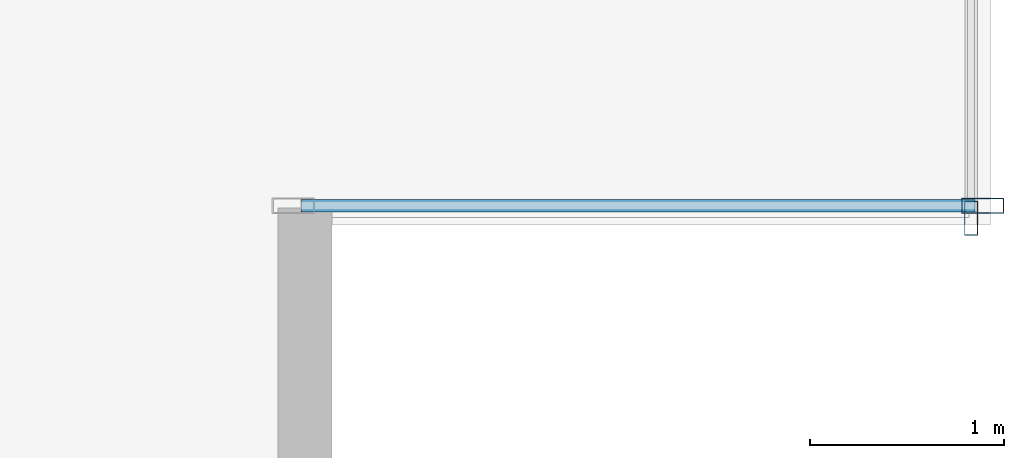
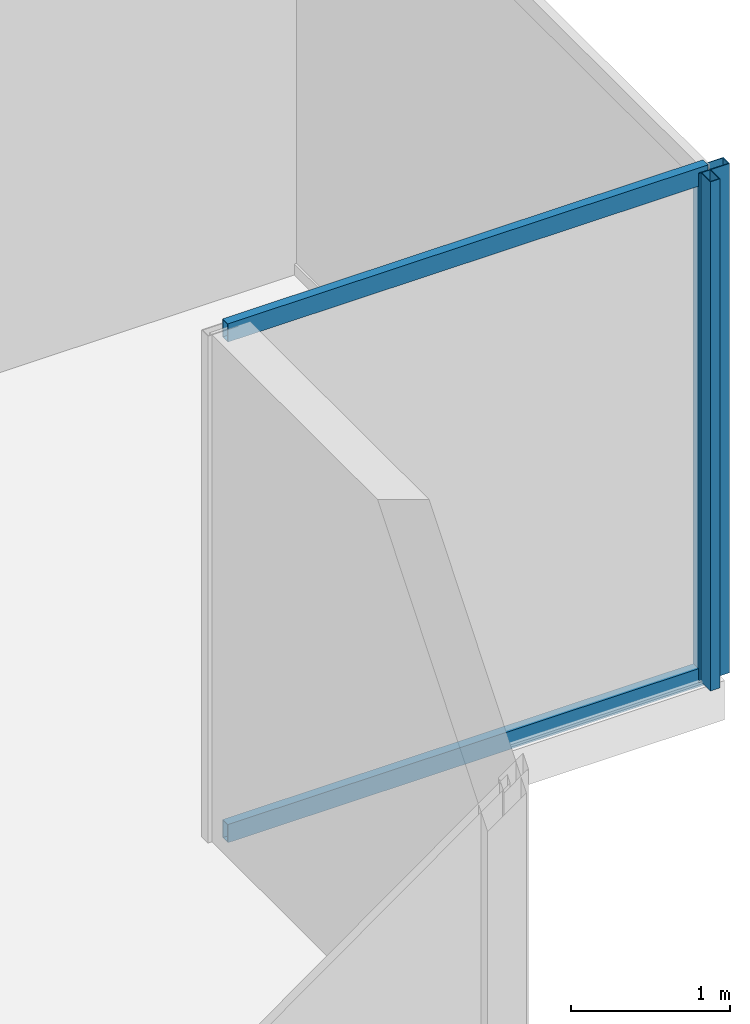
# One storey, part 14 of 32: 4 members, 2 elements without a shape of their own.
"""IFC4 building model written with IfcOpenShell, lengths in metres."""

from ifc_helpers import new_model, si_unit, direction, frame, origin, origin_2d, place, context, subcontext, project, spatial, hollow_rectangle, extrude, source, transform, mapped, material, layer, layer_set, material_profile, profile_set, type_object, type_shapes, element, aggregate, save


model = new_model("IFC4")

# Units and contexts
model_context = context("Model", 3, precision=1e-05, world=origin(), true_north=direction((0.0, 1.0)))
body_context = subcontext(model_context, "Body", "Model", "MODEL_VIEW")
ifc_project = project(units=[si_unit("LENGTHUNIT", "METRE"), si_unit("AREAUNIT", "SQUARE_METRE"), si_unit("VOLUMEUNIT", "CUBIC_METRE"), si_unit("PLANEANGLEUNIT", "RADIAN"), si_unit("MASSUNIT", "GRAM", prefix="KILO")], contexts=[model_context])

# Site, building, storey
site_placement = place(None, origin())
site = spatial("IfcSite", under=ifc_project, at=site_placement, CompositionType="ELEMENT")
building_placement = place(site_placement, origin())
building = spatial("IfcBuilding", under=site, at=building_placement, Name="Haelvirn Gate Laboratories", CompositionType="ELEMENT")
storey_placement = place(building_placement, frame((0.0, 0.0, 314.39990234375)))
storey = spatial("IfcBuildingStorey", under=building, at=storey_placement, Name="L75", CompositionType="ELEMENT", Elevation=314.39990234375)

# Curtain wall, members
ifc_material_1 = material(Name="Anodised bronze unitised aluminium & triple low-E glass", Category="aluminium")
ifc_layer_1 = layer(ifc_material_1, 0.181884765625, Name="CW-SYS-5")
ifc_layer_set_1 = layer_set([ifc_layer_1], Name="Anodised bronze unitised aluminium & triple low-E glass")
curtain_wall_type_1 = type_object("IfcCurtainWallType", Name="CW-SYS-5", PredefinedType="NOTDEFINED", material=ifc_layer_set_1)
curtain_wall_1_placement = place(storey_placement, origin())
curtain_wall_1 = element("IfcCurtainWall", 1, at=curtain_wall_1_placement, inside=storey, type_object=curtain_wall_type_1, Name="L75 Unitised Curtain Wall CW-L75-P0-E06-1", PredefinedType="NOTDEFINED")
ifc_material_2 = material(Name="Extruded aluminium 6063-T6 (anodised bronze)", Category="aluminium")
ifc_material_profile_1 = material_profile(ifc_material_2, hollow_rectangle(XDim=0.06494140625, YDim=0.139892578125, WallThickness=0.00390625, at=origin_2d()), Name="CWT-140x65x4")
ifc_profile_set_1 = profile_set([ifc_material_profile_1], Name="Extruded aluminium 6063-T6 (anodised bronze)")
member_type_1 = type_object("IfcMemberType", Name="CWT-T140", PredefinedType="USERDEFINED", material=ifc_profile_set_1)
shared_shape_1 = source(origin(), body_context, "Body", "SweptSolid", [
    extrude(hollow_rectangle(XDim=0.06494140625, YDim=0.139892578125, WallThickness=0.00390625, at=origin_2d()), origin(), (0.0, 0.0, 1.0), 3.47998046875),
])
type_shapes(member_type_1, [shared_shape_1])
member_1_placement = place(storey_placement, frame((65.43994140625, 7.199951171875, 0.03271484375), z_axis=(1.0, 0.0, 0.0), x_axis=(0.0, 1.0, 0.0)))
member_1 = element("IfcMember", 2, at=member_1_placement, type_object=member_type_1, Name="CW5 transom 1.1", ObjectType="TRANSOM", PredefinedType="USERDEFINED", context=body_context, shape_type="MappedRepresentation", body=[
    mapped(shared_shape_1, transform((0.0, 0.0, 0.0), scale=1.0)),
])
member_2_placement = place(storey_placement, frame((65.43994140625, 7.199951171875, 3.86767578125), z_axis=(1.0, 0.0, 0.0), x_axis=(0.0, 1.0, 0.0)))
member_2 = element("IfcMember", 3, at=member_2_placement, type_object=member_type_1, Name="CW5 transom 1.2", ObjectType="TRANSOM", PredefinedType="USERDEFINED", context=body_context, shape_type="MappedRepresentation", body=[
    mapped(shared_shape_1, transform((0.0, 0.0, 0.0), scale=1.0)),
])

# Curtain wall, member
ifc_layer_2 = layer(ifc_material_1, 0.176025390625, Name="CW-SYS-4")
ifc_layer_set_2 = layer_set([ifc_layer_2], Name="Anodised bronze unitised aluminium & triple low-E glass")
curtain_wall_type_2 = type_object("IfcCurtainWallType", Name="CW-SYS-4", PredefinedType="NOTDEFINED", material=ifc_layer_set_2)
curtain_wall_2_placement = place(storey_placement, origin())
curtain_wall_2 = element("IfcCurtainWall", 4, at=curtain_wall_2_placement, inside=storey, type_object=curtain_wall_type_2, Name="L75 Unitised Curtain Wall CW-L75-P0-E07", PredefinedType="NOTDEFINED")
ifc_material_profile_2 = material_profile(ifc_material_2, hollow_rectangle(XDim=0.070068359375, YDim=0.179931640625, WallThickness=0.0048828125, at=origin_2d()), Name="CWM-180x70x5")
ifc_profile_set_2 = profile_set([ifc_material_profile_2], Name="Extruded aluminium 6063-T6 (anodised bronze)")
member_type_2 = type_object("IfcMemberType", Name="CWM-T180", PredefinedType="MULLION", material=ifc_profile_set_2)
shared_shape_2 = source(origin(), body_context, "Body", "SweptSolid", [
    extrude(hollow_rectangle(XDim=0.070068359375, YDim=0.179931640625, WallThickness=0.0048828125, at=origin_2d()), origin(), (0.0, 0.0, 1.0), 3.900146484375),
])
type_shapes(member_type_2, [shared_shape_2])
member_3_placement = place(storey_placement, frame((68.89990234375, 7.135009765625, 0.0), z_axis=(0.0, 0.0, 1.0), x_axis=(-1.0, 0.0, 0.0)))
member_3 = element("IfcMember", 5, at=member_3_placement, type_object=member_type_2, Name="CW4 mullion 1", PredefinedType="MULLION", context=body_context, shape_type="MappedRepresentation", body=[
    mapped(shared_shape_2, transform((0.0, 0.0, 0.0), scale=1.0)),
])
aggregate(curtain_wall_2, [member_3])

# Member
ifc_material_profile_3 = material_profile(ifc_material_2, hollow_rectangle(XDim=0.080078125, YDim=0.219970703125, WallThickness=0.006103515625, at=origin_2d()), Name="CWM-220x80x6")
ifc_profile_set_3 = profile_set([ifc_material_profile_3], Name="Extruded aluminium 6063-T6 (anodised bronze)")
member_type_3 = type_object("IfcMemberType", Name="CWM-T220", PredefinedType="MULLION", material=ifc_profile_set_3)
shared_shape_3 = source(origin(), body_context, "Body", "SweptSolid", [
    extrude(hollow_rectangle(XDim=0.080078125, YDim=0.219970703125, WallThickness=0.006103515625, at=origin_2d()), origin(), (0.0, 0.0, 1.0), 3.900146484375),
])
type_shapes(member_type_3, [shared_shape_3])
member_4_placement = place(storey_placement, frame((68.9599609375, 7.199951171875, 0.0), z_axis=(0.0, 0.0, 1.0), x_axis=(0.0, 1.0, 0.0)))
member_4 = element("IfcMember", 6, at=member_4_placement, type_object=member_type_3, Name="CW5 mullion 2", PredefinedType="MULLION", context=body_context, shape_type="MappedRepresentation", body=[
    mapped(shared_shape_3, transform((0.0, 0.0, 0.0), scale=1.0)),
])

aggregate(curtain_wall_1, [member_4, member_1, member_2])

save(model, "model.ifc")
